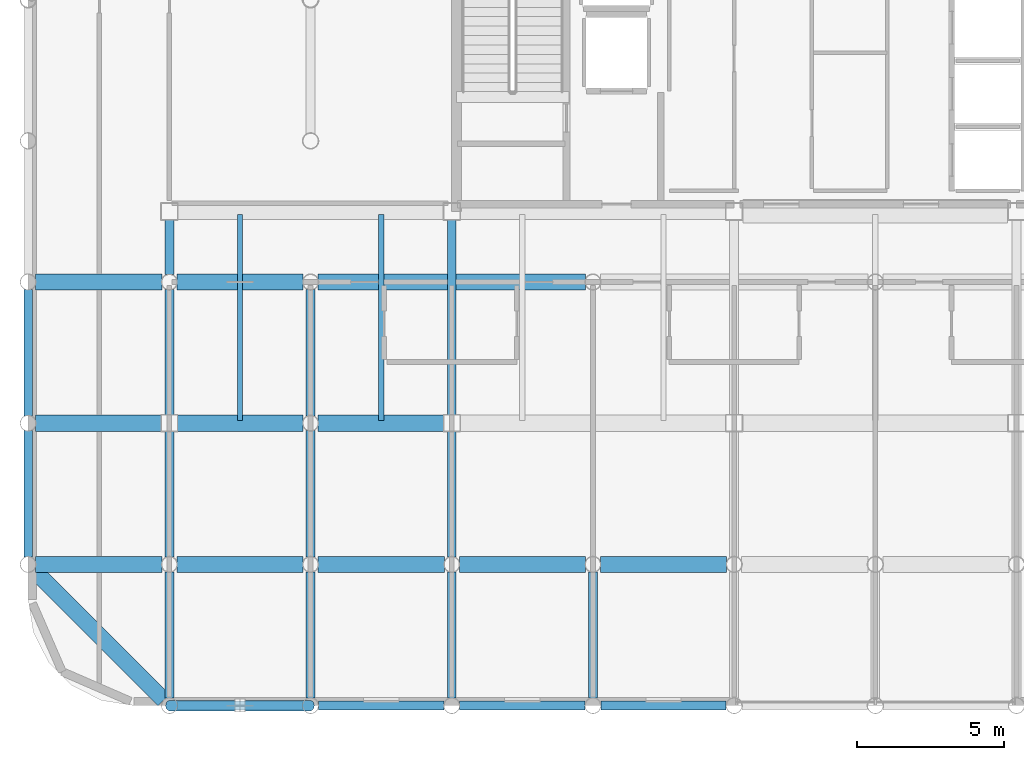
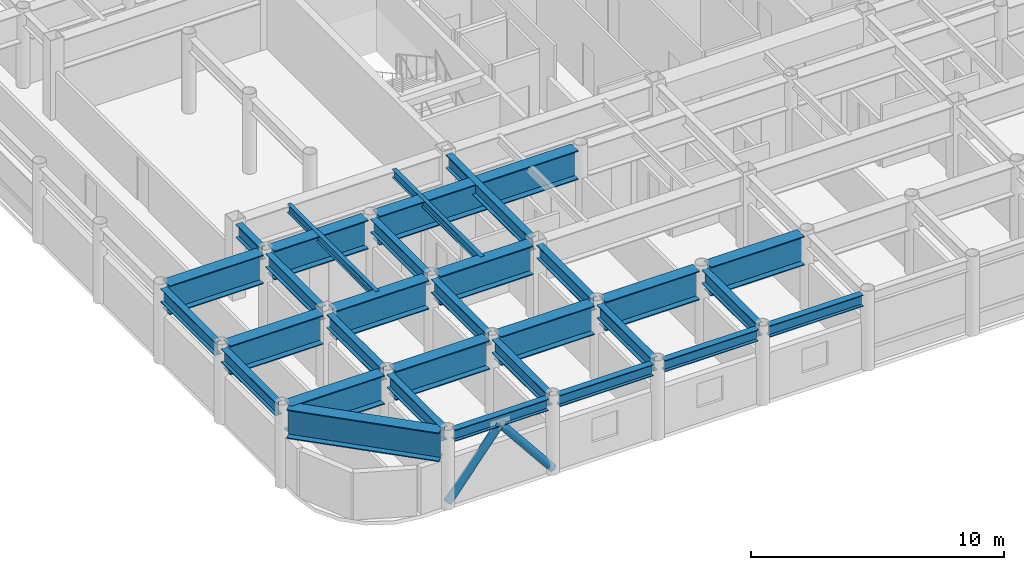
# One storey, part 3 of 22: 31 beams, 2 members.
"""IFC4 building model written with IfcOpenShell, lengths in metres."""

from ifc_helpers import new_model, si_unit, direction, frame, origin, origin_2d, place, context, subcontext, project, spatial, hollow_circle, i_section, extrude, material, material_profile, profile_set, type_object, element, save


model = new_model("IFC4")

# Units and contexts
model_context = context("Model", 3, precision=1e-05, world=origin(), true_north=direction((0.0, 1.0)))
body_context = subcontext(model_context, "Body", "Model", "MODEL_VIEW")
ifc_project = project(units=[si_unit("LENGTHUNIT", "METRE"), si_unit("AREAUNIT", "SQUARE_METRE"), si_unit("VOLUMEUNIT", "CUBIC_METRE"), si_unit("PLANEANGLEUNIT", "RADIAN"), si_unit("MASSUNIT", "GRAM", prefix="KILO")], contexts=[model_context])

# Site, building, storey
site_placement = place(None, origin())
site = spatial("IfcSite", under=ifc_project, at=site_placement, CompositionType="ELEMENT")
building_placement = place(site_placement, origin())
building = spatial("IfcBuilding", under=site, at=building_placement, Name="Kallvorn Hotel Tower", CompositionType="ELEMENT")
storey_placement = place(building_placement, frame((0.0, 0.0, 191.5)))
storey = spatial("IfcBuildingStorey", under=building, at=storey_placement, Name="L47", CompositionType="ELEMENT", Elevation=191.5)

# Beams
ifc_material_1 = material(Name="Structural steel S355JR", Category="steel")
ifc_material_profile_1 = material_profile(ifc_material_1, i_section(OverallWidth=0.300048828125, OverallDepth=0.550048828125, WebThickness=0.014892578125, FlangeThickness=0.029052734375, at=origin_2d()), Name="HE 550 B")
ifc_profile_set_1 = profile_set([ifc_material_profile_1], Name="Structural steel S355JR")
beam_type_1 = type_object("IfcBeamType", Name="BM_HE550B", PredefinedType="SPANDREL", material=ifc_profile_set_1)
for number, where, z_axis, x_axis, name in (
    (1, (-23.73046875, -24.0, 3.39501953125), (1.0, 0.0, 0.0), (0.0, 1.0, 0.0), "L48 Perimeter Spandrel 151"),
    (2, (-18.930419921875, -24.0, 3.39501953125), (1.0, 0.0, 0.0), (0.0, 1.0, 0.0), "L48 Perimeter Spandrel 152"),
):
    element("IfcBeam", number, at=place(storey_placement, frame(where, z_axis=z_axis, x_axis=x_axis)), inside=storey, type_object=beam_type_1, Name=name, PredefinedType="SPANDREL", context=body_context, shape_type="SweptSolid", body=[
        extrude(i_section(OverallWidth=0.300048828125, OverallDepth=0.550048828125, WebThickness=0.014892578125, FlangeThickness=0.029052734375, at=origin_2d()), origin(), (0.0, 0.0, 1.0), 4.260986328125),
    ])
beam_1_placement = place(storey_placement, frame((-14.130615234375, -24.0, 3.39501953125), z_axis=(1.0, 0.0, 0.0), x_axis=(0.0, 1.0, 0.0)))
element("IfcBeam", 3, at=beam_1_placement, inside=storey, type_object=beam_type_1, Name="L48 Perimeter Spandrel 153", PredefinedType="SPANDREL", context=body_context, shape_type="SweptSolid", body=[
    extrude(i_section(OverallWidth=0.300048828125, OverallDepth=0.550048828125, WebThickness=0.014892578125, FlangeThickness=0.029052734375, at=origin_2d()), origin(), (0.0, 0.0, 1.0), 4.26123046875),
])
beam_2_placement = place(storey_placement, frame((-9.33056640625, -24.0, 3.39501953125), z_axis=(1.0, 0.0, 0.0), x_axis=(0.0, 1.0, 0.0)))
element("IfcBeam", 4, at=beam_2_placement, inside=storey, type_object=beam_type_1, Name="L48 Perimeter Spandrel 154", PredefinedType="SPANDREL", context=body_context, shape_type="SweptSolid", body=[
    extrude(i_section(OverallWidth=0.300048828125, OverallDepth=0.550048828125, WebThickness=0.014892578125, FlangeThickness=0.029052734375, at=origin_2d()), origin(), (0.0, 0.0, 1.0), 4.260986328125),
])
ifc_material_2 = material(Name="Structural steel S355JR", Category="steel")
ifc_material_profile_2 = material_profile(ifc_material_2, i_section(OverallWidth=0.300048828125, OverallDepth=0.64990234375, WebThickness=0.01611328125, FlangeThickness=0.031005859375, at=origin_2d()), Name="HE 650 B")
ifc_profile_set_2 = profile_set([ifc_material_profile_2], Name="Structural steel S355JR")
beam_type_2 = type_object("IfcBeamType", Name="BM_HE650B", PredefinedType="BEAM", material=ifc_profile_set_2)
for number, where, z_axis, x_axis, name in (
    (5, (-28.800048828125, -18.945556640625, 3.344970703125), (0.0, 1.0, 0.0), (-1.0, 0.0, 0.0), "L48 Primary Y-Girder 73"),
    (6, (-28.800048828125, -14.1455078125, 3.344970703125), (0.0, 1.0, 0.0), (-1.0, 0.0, 0.0), "L48 Primary Y-Girder 74"),
    (7, (-24.0, -23.74560546875, 3.344970703125), (0.0, 1.0, 0.0), (-1.0, 0.0, 0.0), "L48 Primary Y-Girder 81"),
):
    element("IfcBeam", number, at=place(storey_placement, frame(where, z_axis=z_axis, x_axis=x_axis)), inside=storey, type_object=beam_type_2, Name=name, PredefinedType="BEAM", context=body_context, shape_type="SweptSolid", body=[
        extrude(i_section(OverallWidth=0.300048828125, OverallDepth=0.64990234375, WebThickness=0.01611328125, FlangeThickness=0.031005859375, at=origin_2d()), origin(), (0.0, 0.0, 1.0), 4.291015625),
    ])
for number, where, z_axis, x_axis, name in (
    (8, (-24.0, -18.945556640625, 3.344970703125), (0.0, 1.0, 0.0), (-1.0, 0.0, 0.0), "L48 Primary Y-Girder 82"),
    (9, (-24.0, -14.125, 3.344970703125), (0.0, 1.0, 0.0), (-1.0, 0.0, 0.0), "L48 Primary Y-Girder 83"),
):
    element("IfcBeam", number, at=place(storey_placement, frame(where, z_axis=z_axis, x_axis=x_axis)), inside=storey, type_object=beam_type_2, Name=name, PredefinedType="BEAM", context=body_context, shape_type="SweptSolid", body=[
        extrude(i_section(OverallWidth=0.300048828125, OverallDepth=0.64990234375, WebThickness=0.01611328125, FlangeThickness=0.031005859375, at=origin_2d()), origin(), (0.0, 0.0, 1.0), 4.2705078125),
    ])
beam_3_placement = place(storey_placement, frame((-24.0, -9.345458984375, 3.344970703125), z_axis=(0.0, 1.0, 0.0), x_axis=(-1.0, 0.0, 0.0)))
element("IfcBeam", 10, at=beam_3_placement, inside=storey, type_object=beam_type_2, Name="L48 Primary Y-Girder 84", PredefinedType="BEAM", context=body_context, shape_type="SweptSolid", body=[
    extrude(i_section(OverallWidth=0.300048828125, OverallDepth=0.64990234375, WebThickness=0.01611328125, FlangeThickness=0.031005859375, at=origin_2d()), origin(), (0.0, 0.0, 1.0), 1.870361328125),
])
for number, where, z_axis, x_axis, name in (
    (11, (-19.199951171875, -23.74560546875, 3.344970703125), (0.0, 1.0, 0.0), (-1.0, 0.0, 0.0), "L48 Primary Y-Girder 88"),
    (12, (-19.199951171875, -18.945556640625, 3.344970703125), (0.0, 1.0, 0.0), (-1.0, 0.0, 0.0), "L48 Primary Y-Girder 89"),
    (13, (-19.199951171875, -14.1455078125, 3.344970703125), (0.0, 1.0, 0.0), (-1.0, 0.0, 0.0), "L48 Primary Y-Girder 90"),
    (14, (-14.39990234375, -23.74560546875, 3.344970703125), (0.0, 1.0, 0.0), (-1.0, 0.0, 0.0), "L48 Primary Y-Girder 97"),
):
    element("IfcBeam", number, at=place(storey_placement, frame(where, z_axis=z_axis, x_axis=x_axis)), inside=storey, type_object=beam_type_2, Name=name, PredefinedType="BEAM", context=body_context, shape_type="SweptSolid", body=[
        extrude(i_section(OverallWidth=0.300048828125, OverallDepth=0.64990234375, WebThickness=0.01611328125, FlangeThickness=0.031005859375, at=origin_2d()), origin(), (0.0, 0.0, 1.0), 4.291015625),
    ])
beam_4_placement = place(storey_placement, frame((-14.39990234375, -18.945556640625, 3.344970703125), z_axis=(0.0, 1.0, 0.0), x_axis=(-1.0, 0.0, 0.0)))
element("IfcBeam", 15, at=beam_4_placement, inside=storey, type_object=beam_type_2, Name="L48 Primary Y-Girder 98", PredefinedType="BEAM", context=body_context, shape_type="SweptSolid", body=[
    extrude(i_section(OverallWidth=0.300048828125, OverallDepth=0.64990234375, WebThickness=0.01611328125, FlangeThickness=0.031005859375, at=origin_2d()), origin(), (0.0, 0.0, 1.0), 4.2705078125),
])
beam_5_placement = place(storey_placement, frame((-14.39990234375, -14.125, 3.344970703125), z_axis=(0.0, 1.0, 0.0), x_axis=(-1.0, 0.0, 0.0)))
element("IfcBeam", 16, at=beam_5_placement, inside=storey, type_object=beam_type_2, Name="L48 Primary Y-Girder 99", PredefinedType="BEAM", context=body_context, shape_type="SweptSolid", body=[
    extrude(i_section(OverallWidth=0.300048828125, OverallDepth=0.64990234375, WebThickness=0.01611328125, FlangeThickness=0.031005859375, at=origin_2d()), origin(), (0.0, 0.0, 1.0), 6.64990234375),
])
beam_6_placement = place(storey_placement, frame((-9.60009765625, -23.74560546875, 3.344970703125), z_axis=(0.0, 1.0, 0.0), x_axis=(-1.0, 0.0, 0.0)))
element("IfcBeam", 17, at=beam_6_placement, inside=storey, type_object=beam_type_2, Name="L48 Primary Y-Girder 102", PredefinedType="BEAM", context=body_context, shape_type="SweptSolid", body=[
    extrude(i_section(OverallWidth=0.300048828125, OverallDepth=0.64990234375, WebThickness=0.01611328125, FlangeThickness=0.031005859375, at=origin_2d()), origin(), (0.0, 0.0, 1.0), 4.291015625),
])
ifc_material_3 = material(Name="Structural steel S355JR", Category="steel")
ifc_material_profile_3 = material_profile(ifc_material_3, i_section(OverallWidth=0.179931640625, OverallDepth=0.39990234375, WebThickness=0.008544921875, FlangeThickness=0.013427734375, at=origin_2d()), Name="IPE 400")
ifc_profile_set_3 = profile_set([ifc_material_profile_3], Name="Structural steel S355JR")
beam_type_3 = type_object("IfcBeamType", Name="BM_IPE400", PredefinedType="JOIST", material=ifc_profile_set_3)
for number, where, z_axis, x_axis, name in (
    (18, (-21.60009765625, -14.300048828125, 3.469970703125), (0.0, 1.0, 0.0), (-1.0, 0.0, 0.0), "L48 Secondary Composite Joist 192"),
    (19, (-16.800048828125, -14.300048828125, 3.469970703125), (0.0, 1.0, 0.0), (-1.0, 0.0, 0.0), "L48 Secondary Composite Joist 194"),
):
    element("IfcBeam", number, at=place(storey_placement, frame(where, z_axis=z_axis, x_axis=x_axis)), inside=storey, type_object=beam_type_3, Name=name, PredefinedType="JOIST", context=body_context, shape_type="SweptSolid", body=[
        extrude(i_section(OverallWidth=0.179931640625, OverallDepth=0.39990234375, WebThickness=0.008544921875, FlangeThickness=0.013427734375, at=origin_2d()), origin(), (0.0, 0.0, 1.0), 7.0),
    ])
ifc_material_4 = material(Name="Structural steel S355JR", Category="steel")
ifc_material_profile_4 = material_profile(ifc_material_4, i_section(OverallWidth=0.550048828125, OverallDepth=1.39990234375, WebThickness=0.02490234375, FlangeThickness=0.044921875, at=origin_2d()), Name="PG 1400x550x25x45")
ifc_profile_set_4 = profile_set([ifc_material_profile_4], Name="Structural steel S355JR")
beam_type_4 = type_object("IfcBeamType", Name="BM_PG_1400", PredefinedType="BEAM", material=ifc_profile_set_4)
for number, where, z_axis, x_axis, name in (
    (20, (-28.54541015625, -19.199951171875, 2.969970703125), (1.0, 0.0, 0.0), (0.0, 1.0, 0.0), "L48 Primary X-Girder 01"),
    (21, (-23.74560546875, -19.199951171875, 2.969970703125), (1.0, 0.0, 0.0), (0.0, 1.0, 0.0), "L48 Primary X-Girder 02"),
    (22, (-18.945556640625, -19.199951171875, 2.969970703125), (1.0, 0.0, 0.0), (0.0, 1.0, 0.0), "L48 Primary X-Girder 03"),
    (23, (-14.1455078125, -19.199951171875, 2.969970703125), (1.0, 0.0, 0.0), (0.0, 1.0, 0.0), "L48 Primary X-Girder 04"),
    (24, (-9.345458984375, -19.199951171875, 2.969970703125), (1.0, 0.0, 0.0), (0.0, 1.0, 0.0), "L48 Primary X-Girder 05"),
):
    element("IfcBeam", number, at=place(storey_placement, frame(where, z_axis=z_axis, x_axis=x_axis)), inside=storey, type_object=beam_type_4, Name=name, PredefinedType="BEAM", context=body_context, shape_type="SweptSolid", body=[
        extrude(i_section(OverallWidth=0.550048828125, OverallDepth=1.39990234375, WebThickness=0.02490234375, FlangeThickness=0.044921875, at=origin_2d()), origin(), (0.0, 0.0, 1.0), 4.291015625),
    ])
for number, where, z_axis, x_axis, name in (
    (25, (-28.54541015625, -14.39990234375, 2.969970703125), (1.0, 0.0, 0.0), (0.0, 1.0, 0.0), "L48 Primary X-Girder 14"),
    (26, (-23.72509765625, -14.39990234375, 2.969970703125), (1.0, 0.0, 0.0), (0.0, 1.0, 0.0), "L48 Primary X-Girder 15"),
    (27, (-18.945556640625, -14.39990234375, 2.969970703125), (1.0, 0.0, 0.0), (0.0, 1.0, 0.0), "L48 Primary X-Girder 16"),
):
    element("IfcBeam", number, at=place(storey_placement, frame(where, z_axis=z_axis, x_axis=x_axis)), inside=storey, type_object=beam_type_4, Name=name, PredefinedType="BEAM", context=body_context, shape_type="SweptSolid", body=[
        extrude(i_section(OverallWidth=0.550048828125, OverallDepth=1.39990234375, WebThickness=0.02490234375, FlangeThickness=0.044921875, at=origin_2d()), origin(), (0.0, 0.0, 1.0), 4.2705078125),
    ])
for number, where, z_axis, x_axis, name in (
    (28, (-28.54541015625, -9.60009765625, 2.969970703125), (1.0, 0.0, 0.0), (0.0, 1.0, 0.0), "L48 Primary X-Girder 24"),
    (29, (-23.74560546875, -9.60009765625, 2.969970703125), (1.0, 0.0, 0.0), (0.0, 1.0, 0.0), "L48 Primary X-Girder 25"),
):
    element("IfcBeam", number, at=place(storey_placement, frame(where, z_axis=z_axis, x_axis=x_axis)), inside=storey, type_object=beam_type_4, Name=name, PredefinedType="BEAM", context=body_context, shape_type="SweptSolid", body=[
        extrude(i_section(OverallWidth=0.550048828125, OverallDepth=1.39990234375, WebThickness=0.02490234375, FlangeThickness=0.044921875, at=origin_2d()), origin(), (0.0, 0.0, 1.0), 4.291015625),
    ])
beam_7_placement = place(storey_placement, frame((-18.945556640625, -9.60009765625, 2.969970703125), z_axis=(1.0, 0.0, 0.0), x_axis=(0.0, 1.0, 0.0)))
element("IfcBeam", 30, at=beam_7_placement, inside=storey, type_object=beam_type_4, Name="L48 Primary X-Girder 26", PredefinedType="BEAM", context=body_context, shape_type="SweptSolid", body=[
    extrude(i_section(OverallWidth=0.550048828125, OverallDepth=1.39990234375, WebThickness=0.02490234375, FlangeThickness=0.044921875, at=origin_2d()), origin(), (0.0, 0.0, 1.0), 9.091064453125),
])
beam_8_placement = place(storey_placement, frame((-28.609375, -19.390625, 2.969970703125), z_axis=(0.707106781187, -0.707106781187, 0.0), x_axis=(0.707106781187, 0.707106781187, 0.0)))
element("IfcBeam", 31, at=beam_8_placement, inside=storey, type_object=beam_type_4, Name="L48 Rounded Corner Tie Beam 189", PredefinedType="BEAM", context=body_context, shape_type="SweptSolid", body=[
    extrude(i_section(OverallWidth=0.550048828125, OverallDepth=1.39990234375, WebThickness=0.02490234375, FlangeThickness=0.044921875, at=origin_2d()), origin(), (0.0, 0.0, 1.0), 6.2490234375),
])

# Members
ifc_material_5 = material(Name="Structural steel S355J2H", Category="steel")
ifc_material_profile_5 = material_profile(ifc_material_5, hollow_circle(Radius=0.177734375, WallThickness=0.01416015625, at=origin_2d()), Name="CHS 355.6x14.2")
ifc_profile_set_5 = profile_set([ifc_material_profile_5], Name="Structural steel S355J2H")
member_type = type_object("IfcMemberType", Name="MBR_EXO_CHS355", PredefinedType="BRACE", material=ifc_profile_set_5)
for number, where, z_axis, x_axis, name in (
    (32, (-23.987548828125, -24.0, 0.195556640625), (0.627270878626, 0.0, 0.778801158722), (0.0, 1.0, 0.0), "L47 Exoskeleton K-Brace S1A"),
    (33, (-19.21240234375, -24.0, 0.195556640625), (-0.627270878626, 0.0, 0.778801158722), (0.0, -1.0, 0.0), "L47 Exoskeleton K-Brace S1B"),
):
    element("IfcMember", number, at=place(storey_placement, frame(where, z_axis=z_axis, x_axis=x_axis)), inside=storey, type_object=member_type, Name=name, PredefinedType="BRACE", context=body_context, shape_type="SweptSolid", body=[
        extrude(hollow_circle(Radius=0.177734375, WallThickness=0.01416015625, at=origin_2d()), origin(), (0.0, 0.0, 1.0), 3.7861328125),
    ])

save(model, "model.ifc")
